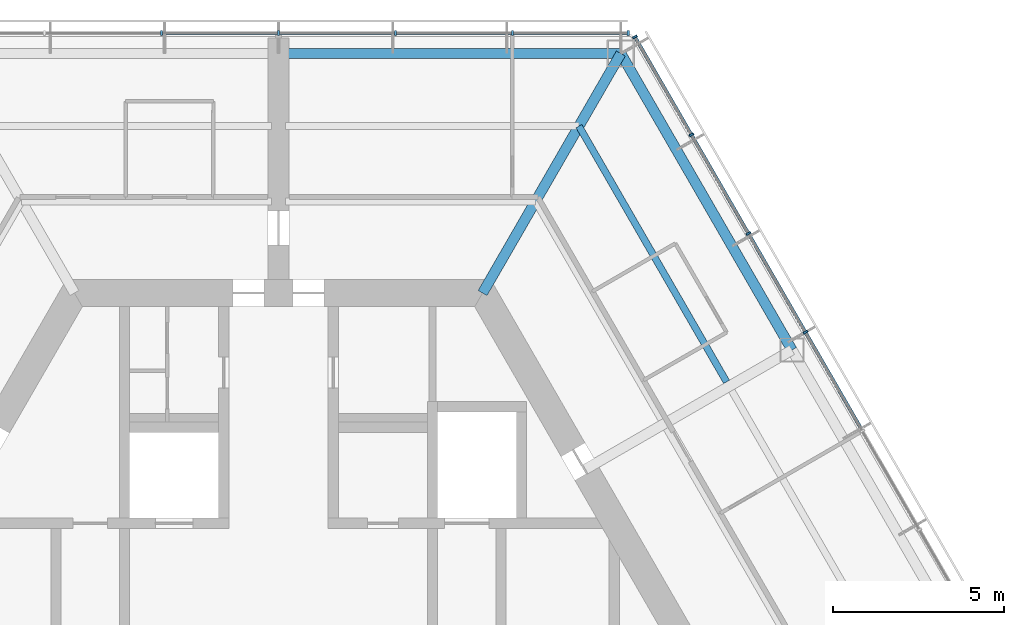
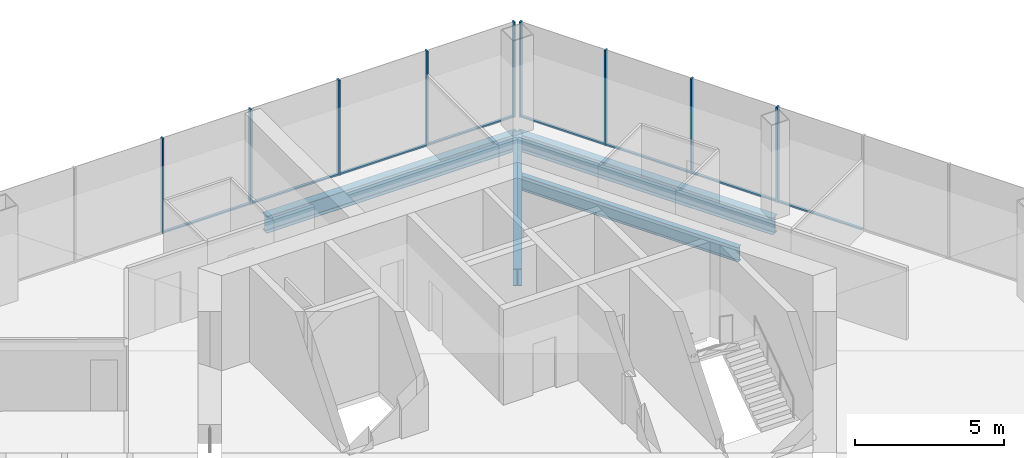
# One storey, part 7 of 16: 17 members, 4 beams, 2 elements without a shape of their own.
"""IFC4 building model written with IfcOpenShell, lengths in metres."""

import ifcopenshell
import ifcopenshell.guid

model = None  # the IFC model being written
_history = None  # IfcOwnerHistory: only IFC2X3 demands one
_inside = {}  # id of a spatial element -> (the spatial element, [elements in it])
_under = {}  # id of a project, library or spatial element -> (it, [spatial elements below it])
_declared = {}  # id of a project -> (the project, [libraries it declares])
_typed = {}  # id of a type object -> (the type object, [elements of that type])
_made_of = {}  # id of a material, layer set ... -> (it, [elements and type objects made of it])


def new_model(schema):
    """Start an empty IFC model of exactly this schema.

    Asked for "IFC4X3", IfcOpenShell would pick the latest addendum, in which some entities
    have other attributes; the version numbers below select the first issue.
    IFC2X3 requires an IfcOwnerHistory on every rooted entity: one is made here for all.
    """
    global model, _history
    if schema == "IFC4X3":
        model = ifcopenshell.file(schema_version=(4, 3, 0, 0))
    else:
        model = ifcopenshell.file(schema=schema)
    _inside.clear()
    _under.clear()
    _declared.clear()
    _typed.clear()
    _made_of.clear()
    _history = None
    if model.schema == "IFC2X3":
        org = make("IfcOrganization", Name="unknown")
        user = make(
            "IfcPersonAndOrganization",
            ThePerson=make("IfcPerson", FamilyName="unknown"),
            TheOrganization=org,
        )
        app = make(
            "IfcApplication",
            ApplicationDeveloper=org,
            Version="unknown",
            ApplicationFullName="unknown",
            ApplicationIdentifier="unknown",
        )
        _history = make(
            "IfcOwnerHistory",
            OwningUser=user,
            OwningApplication=app,
            ChangeAction="ADDED",
            CreationDate=0,
        )
    return model


def make(cls, **values):
    """One entity of the class cls with the attributes given. An attribute that is None is left unset."""
    return model.create_entity(
        cls, **{name: value for name, value in values.items() if value is not None}
    )


def rooted(cls, **values):
    """An entity with a GlobalId (a new one), such as an element, a storey or a relation."""
    return make(cls, GlobalId=ifcopenshell.guid.new(), OwnerHistory=_history, **values)


def si_unit(unit_type, name, prefix=None):
    """IfcSIUnit, for example si_unit("LENGTHUNIT", "METRE", prefix="MILLI")."""
    return make("IfcSIUnit", UnitType=unit_type, Prefix=prefix, Name=name)


def assignment(units):
    """IfcUnitAssignment: the units of a project."""
    return None if units is None else make("IfcUnitAssignment", Units=units)


def point(xyz):
    """IfcCartesianPoint."""
    return None if xyz is None else make("IfcCartesianPoint", Coordinates=xyz)


def direction(xyz):
    """IfcDirection."""
    return None if xyz is None else make("IfcDirection", DirectionRatios=xyz)


def frame(location, z_axis=None, x_axis=None):
    """IfcAxis2Placement3D, a coordinate frame: its origin and axes. An axis left out is left unset."""
    return make(
        "IfcAxis2Placement3D",
        Location=point(location),
        Axis=direction(z_axis),
        RefDirection=direction(x_axis),
    )


def frame_2d(location, x_axis=None):
    """IfcAxis2Placement2D, a coordinate frame in the plane: its origin and x axis."""
    return make(
        "IfcAxis2Placement2D", Location=point(location), RefDirection=direction(x_axis)
    )


def origin():
    """The frame at (0, 0, 0) with its axes left unset."""
    return frame((0.0, 0.0, 0.0))


def origin_2d():
    """The frame at (0, 0) in the plane with its x axis left unset."""
    return frame_2d((0.0, 0.0))


def place(relative_to, where):
    """IfcLocalPlacement: puts the frame where relative to a parent placement (None: the world)."""
    return make(
        "IfcLocalPlacement", PlacementRelTo=relative_to, RelativePlacement=where
    )


def context(
    kind, dimensions, precision=None, world=None, true_north=None, identifier=None
):
    """IfcGeometricRepresentationContext, for example the 3D "Model" context."""
    return make(
        "IfcGeometricRepresentationContext",
        ContextIdentifier=identifier,
        ContextType=kind,
        CoordinateSpaceDimension=dimensions,
        Precision=precision,
        WorldCoordinateSystem=world,
        TrueNorth=true_north,
    )


def subcontext(parent, identifier, kind, view, scale=None):
    """IfcGeometricRepresentationSubContext, for example "Body" below "Model"."""
    return make(
        "IfcGeometricRepresentationSubContext",
        ContextIdentifier=identifier,
        ContextType=kind,
        ParentContext=parent,
        TargetScale=scale,
        TargetView=view,
    )


def project(units=None, contexts=None):
    """IfcProject with its units and contexts."""
    return rooted(
        "IfcProject",
        Name="project",
        RepresentationContexts=contexts,
        UnitsInContext=assignment(units),
    )


def spatial(cls, under=None, at=None, **own):
    """A site, building, storey or space (cls), placed at a placement, below another one or the project."""
    s = rooted(cls, ObjectPlacement=at, **own)
    if under is not None:
        _under.setdefault(under.id(), (under, []))[1].append(s)
    return s


def profile(cls, at=None, kind="AREA", **sizes):
    """A parametric profile (cls). Its sizes go by their IFC names, for example OverallWidth=200.0."""
    return make(cls, ProfileType=kind, Position=at, **sizes)


def rectangle(**sizes):
    """IfcRectangleProfileDef."""
    return profile("IfcRectangleProfileDef", **sizes)


def i_section(**sizes):
    """IfcIShapeProfileDef."""
    return profile("IfcIShapeProfileDef", **sizes)


def extrude(swept, where, along, depth):
    """IfcExtrudedAreaSolid: the profile swept, set in the frame where, extruded along a direction by depth."""
    return make(
        "IfcExtrudedAreaSolid",
        SweptArea=swept,
        Position=where,
        ExtrudedDirection=direction(along),
        Depth=depth,
    )


def shape(context_of_items, identifier, shape_type, items):
    """IfcShapeRepresentation: the items that make up one representation, for example the "Body"."""
    return make(
        "IfcShapeRepresentation",
        ContextOfItems=context_of_items,
        RepresentationIdentifier=identifier,
        RepresentationType=shape_type,
        Items=items,
    )


def material(Name=None, Category=None):
    """IfcMaterial."""
    return make("IfcMaterial", Name=Name, Category=Category)


def material_profile(
    of_material, cross_section, Name=None, Category=None, Priority=None
):
    """IfcMaterialProfile: a cross section and its material."""
    return make(
        "IfcMaterialProfile",
        Name=Name,
        Material=of_material,
        Profile=cross_section,
        Priority=Priority,
        Category=Category,
    )


def profile_set(profiles, Name=None, composite=None):
    """IfcMaterialProfileSet."""
    return make(
        "IfcMaterialProfileSet",
        Name=Name,
        MaterialProfiles=profiles,
        CompositeProfile=composite,
    )


def made_of(thing, what):
    """Note that an element or type object is made of a material, layer set ...; save() writes the relation."""
    if what is not None:
        _made_of.setdefault(what.id(), (what, []))[1].append(thing)
    return thing


def type_object(cls, material=None, **own):
    """A type object (cls), such as IfcWallType, which elements share."""
    return made_of(rooted(cls, **own), material)


def element(
    cls,
    number,
    at=None,
    inside=None,
    cuts=None,
    type_object=None,
    material=None,
    context=None,
    identifier="Body",
    shape_type=None,
    held_by="IfcProductDefinitionShape",
    body=None,
    shapes=None,
    **own,
):
    """One element of the class cls, such as IfcWall. Its Tag is "e" and its number.

    at: its placement. inside: the storey or other place that contains it. cuts: it is an
    opening in that element (IfcRelVoidsElement). A single representation is given by context,
    identifier, shape_type and body (its items); several are given by shapes. held_by: the class
    of the entity that holds the representations. save() writes the other relations.
    """
    e = rooted(cls, Tag="e%d" % number, ObjectPlacement=at, **own)
    if body is not None:
        shapes = [shape(context, identifier, shape_type, body)]
    if shapes is not None:
        e.Representation = make(held_by, Representations=shapes)
    if inside is not None:
        _inside.setdefault(inside.id(), (inside, []))[1].append(e)
    if cuts is not None:
        rooted(
            "IfcRelVoidsElement", RelatingBuildingElement=cuts, RelatedOpeningElement=e
        )
    if type_object is not None:
        _typed.setdefault(type_object.id(), (type_object, []))[1].append(e)
    return made_of(e, material)


def aggregate(whole, parts):
    """IfcRelAggregates: a whole, such as a stair, and the parts it consists of."""
    return rooted("IfcRelAggregates", RelatingObject=whole, RelatedObjects=parts)


def save(model, path):
    """Write the relations noted so far, then the file.

    IfcRelAggregates (storeys below a building ...), IfcRelContainedInSpatialStructure (elements
    in a storey), IfcRelDefinesByType, IfcRelAssociatesMaterial and IfcRelDeclares: one each for
    every whole, place, type object, material and project.
    """
    for whole, parts in _under.values():
        aggregate(whole, parts)
    for where, things in _inside.values():
        rooted(
            "IfcRelContainedInSpatialStructure",
            RelatedElements=things,
            RelatingStructure=where,
        )
    for kind, things in _typed.values():
        rooted("IfcRelDefinesByType", RelatedObjects=things, RelatingType=kind)
    for what, things in _made_of.values():
        rooted("IfcRelAssociatesMaterial", RelatedObjects=things, RelatingMaterial=what)
    for by, libraries in _declared.values():
        rooted("IfcRelDeclares", RelatingContext=by, RelatedDefinitions=libraries)
    model.write(path)


model = new_model("IFC4")

# Units and contexts
model_context = context("Model", 3, precision=1e-05, world=origin(), true_north=direction((0.0, 1.0)))
body_context = subcontext(model_context, "Body", "Model", "MODEL_VIEW")
ifc_project = project(units=[si_unit("LENGTHUNIT", "METRE"), si_unit("AREAUNIT", "SQUARE_METRE"), si_unit("VOLUMEUNIT", "CUBIC_METRE"), si_unit("PLANEANGLEUNIT", "RADIAN"), si_unit("MASSUNIT", "GRAM", prefix="KILO")], contexts=[model_context])

# Site, building, storey
site_placement = place(None, origin())
site = spatial("IfcSite", under=ifc_project, at=site_placement, CompositionType="ELEMENT")
building_placement = place(site_placement, origin())
building = spatial("IfcBuilding", under=site, at=building_placement, Name="Kasaneha Research Tower", CompositionType="ELEMENT")
storey_placement = place(building_placement, frame((0.0, 0.0, 259.60009765625)))
storey = spatial("IfcBuildingStorey", under=building, at=storey_placement, Name="L65", CompositionType="ELEMENT", Elevation=259.60009765625)

# Beam
ifc_material_1 = material(Name="Steel SN490B", Category="steel")
ifc_material_profile_1 = material_profile(ifc_material_1, i_section(OverallWidth=0.199951171875, OverallDepth=0.60009765625, WebThickness=0.010986328125, FlangeThickness=0.01708984375, FilletRadius=0.012939453125, at=origin_2d()), Name="H-600x200x11x17")
ifc_profile_set_1 = profile_set([ifc_material_profile_1], Name="Steel SN490B")
beam_type_1 = type_object("IfcBeamType", Name="B1-3 secondary beam H-600x200x11x17", PredefinedType="JOIST", material=ifc_profile_set_1)
beam_1_placement = place(storey_placement, frame((8.775634765625, 15.199951171875, -0.4501953125), z_axis=(0.500017275495, -0.866015429543, 0.0), x_axis=(0.866015429543, 0.500017275495, 0.0)))
element("IfcBeam", 1, at=beam_1_placement, inside=storey, type_object=beam_type_1, Name="Secondary beam RS030R2 L65", PredefinedType="JOIST", context=body_context, shape_type="SweptSolid", body=[
    extrude(i_section(OverallWidth=0.199951171875, OverallDepth=0.60009765625, WebThickness=0.010986328125, FlangeThickness=0.01708984375, FilletRadius=0.012939453125, at=origin_2d()), origin(), (0.0, 0.0, 1.0), 8.625732421875),
])

# Curtain wall, members
ifc_material_2 = material(Name="Glass and aluminium", Category="aluminium")
curtain_wall_type = type_object("IfcCurtainWallType", Name="High-rise office curtain wall", PredefinedType="USERDEFINED", material=ifc_material_2)
curtain_wall_1_placement = place(storey_placement, origin())
curtain_wall_1 = element("IfcCurtainWall", 2, at=curtain_wall_1_placement, inside=storey, type_object=curtain_wall_type, Name="CW-O3 L65 run 01a", ObjectType="UNITISED CURTAIN WALL", PredefinedType="USERDEFINED")
ifc_material_3 = material(Name="Aluminium 6063-T6", Category="aluminium")
ifc_material_profile_2 = material_profile(ifc_material_3, rectangle(XDim=0.06005859375, YDim=0.139892578125, at=origin_2d()), Name="CW-O3 mullion 60x140")
ifc_profile_set_2 = profile_set([ifc_material_profile_2], Name="Aluminium 6063-T6")
member_type_1 = type_object("IfcMemberType", Name="CW-O3 mullion", PredefinedType="MULLION", material=ifc_profile_set_2)
member_1_placement = place(storey_placement, frame((15.392822265625, 9.179931640625, 0.0), z_axis=(0.0, 0.0, 1.0), x_axis=(-0.499999979232, 0.866025415775, 0.0)))
member_1 = element("IfcMember", 3, at=member_1_placement, type_object=member_type_1, Name="CW-O3 mullion 4", PredefinedType="MULLION", context=body_context, shape_type="SweptSolid", body=[
    extrude(rectangle(XDim=0.06005859375, YDim=0.139892578125, at=origin_2d()), origin(), (0.0, 0.0, 1.0), 3.89990234375),
])
member_2_placement = place(storey_placement, frame((13.727294921875, 12.064453125, 0.0), z_axis=(0.0, 0.0, 1.0), x_axis=(-0.499999979232, 0.866025415775, 0.0)))
member_2 = element("IfcMember", 4, at=member_2_placement, type_object=member_type_1, Name="CW-O3 mullion 5", PredefinedType="MULLION", context=body_context, shape_type="SweptSolid", body=[
    extrude(rectangle(XDim=0.06005859375, YDim=0.139892578125, at=origin_2d()), origin(), (0.0, 0.0, 1.0), 3.89990234375),
])
member_3_placement = place(storey_placement, frame((12.061767578125, 14.94921875, 0.0), z_axis=(0.0, 0.0, 1.0), x_axis=(-0.499999979232, 0.866025415775, 0.0)))
member_3 = element("IfcMember", 5, at=member_3_placement, type_object=member_type_1, Name="CW-O3 mullion 6", PredefinedType="MULLION", context=body_context, shape_type="SweptSolid", body=[
    extrude(rectangle(XDim=0.06005859375, YDim=0.139892578125, at=origin_2d()), origin(), (0.0, 0.0, 1.0), 3.89990234375),
])
member_4_placement = place(storey_placement, frame((10.411376953125, 17.807861328125, 0.0), z_axis=(0.0, 0.0, 1.0), x_axis=(-0.499999979232, 0.866025415775, 0.0)))
member_4 = element("IfcMember", 6, at=member_4_placement, type_object=member_type_1, Name="CW-O3 mullion 7", PredefinedType="MULLION", context=body_context, shape_type="SweptSolid", body=[
    extrude(rectangle(XDim=0.06005859375, YDim=0.139892578125, at=origin_2d()), origin(), (0.0, 0.0, 1.0), 3.89990234375),
])

curtain_wall_2_placement = place(storey_placement, origin())
curtain_wall_2 = element("IfcCurtainWall", 7, at=curtain_wall_2_placement, inside=storey, type_object=curtain_wall_type, Name="CW-O3 L65 run 02a", ObjectType="UNITISED CURTAIN WALL", PredefinedType="USERDEFINED")
member_5_placement = place(storey_placement, frame((10.21630859375, 17.92041015625, 0.0), z_axis=(0.0, 0.0, 1.0), x_axis=(-1.0, 0.0, 0.0)))
member_5 = element("IfcMember", 8, at=member_5_placement, type_object=member_type_1, Name="CW-O3 mullion 1", PredefinedType="MULLION", context=body_context, shape_type="SweptSolid", body=[
    extrude(rectangle(XDim=0.06005859375, YDim=0.139892578125, at=origin_2d()), origin(), (0.0, 0.0, 1.0), 3.89990234375),
])
member_6_placement = place(storey_placement, frame((6.8310546875, 17.92041015625, 0.0), z_axis=(0.0, 0.0, 1.0), x_axis=(-1.0, 0.0, 0.0)))
member_6 = element("IfcMember", 9, at=member_6_placement, type_object=member_type_1, Name="CW-O3 mullion 2", PredefinedType="MULLION", context=body_context, shape_type="SweptSolid", body=[
    extrude(rectangle(XDim=0.06005859375, YDim=0.139892578125, at=origin_2d()), origin(), (0.0, 0.0, 1.0), 3.89990234375),
])
member_7_placement = place(storey_placement, frame((3.41552734375, 17.92041015625, 0.0), z_axis=(0.0, 0.0, 1.0), x_axis=(-1.0, 0.0, 0.0)))
member_7 = element("IfcMember", 10, at=member_7_placement, type_object=member_type_1, Name="CW-O3 mullion 3", PredefinedType="MULLION", context=body_context, shape_type="SweptSolid", body=[
    extrude(rectangle(XDim=0.06005859375, YDim=0.139892578125, at=origin_2d()), origin(), (0.0, 0.0, 1.0), 3.89990234375),
])
member_8_placement = place(storey_placement, frame((0.0, 17.92041015625, 0.0), z_axis=(0.0, 0.0, 1.0), x_axis=(-1.0, 0.0, 0.0)))
member_8 = element("IfcMember", 11, at=member_8_placement, type_object=member_type_1, Name="CW-O3 mullion 4", PredefinedType="MULLION", context=body_context, shape_type="SweptSolid", body=[
    extrude(rectangle(XDim=0.06005859375, YDim=0.139892578125, at=origin_2d()), origin(), (0.0, 0.0, 1.0), 3.89990234375),
])
member_9_placement = place(storey_placement, frame((-3.41552734375, 17.92041015625, 0.0), z_axis=(0.0, 0.0, 1.0), x_axis=(-1.0, 0.0, 0.0)))
member_9 = element("IfcMember", 12, at=member_9_placement, type_object=member_type_1, Name="CW-O3 mullion 5", PredefinedType="MULLION", context=body_context, shape_type="SweptSolid", body=[
    extrude(rectangle(XDim=0.06005859375, YDim=0.139892578125, at=origin_2d()), origin(), (0.0, 0.0, 1.0), 3.89990234375),
])

# Member
ifc_material_4 = material(Name="Aluminium 6063-T6", Category="aluminium")
ifc_material_profile_3 = material_profile(ifc_material_4, rectangle(XDim=0.10009765625, YDim=0.06005859375, at=origin_2d()), Name="CW-O3 transom 100x60")
ifc_profile_set_3 = profile_set([ifc_material_profile_3], Name="Aluminium 6063-T6")
member_type_2 = type_object("IfcMemberType", Name="CW-O3 transom", PredefinedType="USERDEFINED", material=ifc_profile_set_3)
member_10_placement = place(storey_placement, frame((17.043212890625, 6.3212890625, 0.02978515625), z_axis=(-0.50003259116, 0.866006586452, 0.0), x_axis=(-0.866006586452, -0.50003259116, 0.0)))
member_10 = element("IfcMember", 13, at=member_10_placement, type_object=member_type_2, Name="CW-O3 transom 3", ObjectType="TRANSOM", PredefinedType="USERDEFINED", context=body_context, shape_type="SweptSolid", body=[
    extrude(rectangle(XDim=0.10009765625, YDim=0.06005859375, at=origin_2d()), origin(), (0.0, 0.0, 1.0), 3.270751953125),
])

member_11_placement = place(storey_placement, frame((15.3779296875, 9.205810546875, 0.02978515625), z_axis=(-0.500000270186, 0.866025247793, 0.0), x_axis=(-0.866025247793, -0.500000270186, 0.0)))
member_11 = element("IfcMember", 14, at=member_11_placement, type_object=member_type_2, Name="CW-O3 transom 4", ObjectType="TRANSOM", PredefinedType="USERDEFINED", context=body_context, shape_type="SweptSolid", body=[
    extrude(rectangle(XDim=0.10009765625, YDim=0.06005859375, at=origin_2d()), origin(), (0.0, 0.0, 1.0), 3.27099609375),
])

member_12_placement = place(storey_placement, frame((13.71240234375, 12.090576171875, 0.02978515625), z_axis=(-0.500000270186, 0.866025247793, 0.0), x_axis=(-0.866025247793, -0.500000270186, 0.0)))
member_12 = element("IfcMember", 15, at=member_12_placement, type_object=member_type_2, Name="CW-O3 transom 5", ObjectType="TRANSOM", PredefinedType="USERDEFINED", context=body_context, shape_type="SweptSolid", body=[
    extrude(rectangle(XDim=0.10009765625, YDim=0.06005859375, at=origin_2d()), origin(), (0.0, 0.0, 1.0), 3.27099609375),
])

member_13_placement = place(storey_placement, frame((12.046875, 14.97509765625, 0.02978515625), z_axis=(-0.499955025697, 0.866051368154, 0.0), x_axis=(-0.866051368154, -0.499955025697, 0.0)))
member_13 = element("IfcMember", 16, at=member_13_placement, type_object=member_type_2, Name="CW-O3 transom 6", ObjectType="TRANSOM", PredefinedType="USERDEFINED", context=body_context, shape_type="SweptSolid", body=[
    extrude(rectangle(XDim=0.10009765625, YDim=0.06005859375, at=origin_2d()), origin(), (0.0, 0.0, 1.0), 3.240966796875),
])

aggregate(curtain_wall_1, [member_1, member_2, member_3, member_4, member_10, member_11, member_12, member_13])

member_14_placement = place(storey_placement, frame((10.1865234375, 17.92041015625, 0.02978515625), z_axis=(-1.0, 0.0, 0.0), x_axis=(0.0, -1.0, 0.0)))
member_14 = element("IfcMember", 17, at=member_14_placement, type_object=member_type_2, Name="CW-O3 transom 1", ObjectType="TRANSOM", PredefinedType="USERDEFINED", context=body_context, shape_type="SweptSolid", body=[
    extrude(rectangle(XDim=0.10009765625, YDim=0.06005859375, at=origin_2d()), origin(), (0.0, 0.0, 1.0), 3.32568359375),
])

member_15_placement = place(storey_placement, frame((6.801025390625, 17.92041015625, 0.02978515625), z_axis=(-1.0, 0.0, 0.0), x_axis=(0.0, -1.0, 0.0)))
member_15 = element("IfcMember", 18, at=member_15_placement, type_object=member_type_2, Name="CW-O3 transom 2", ObjectType="TRANSOM", PredefinedType="USERDEFINED", context=body_context, shape_type="SweptSolid", body=[
    extrude(rectangle(XDim=0.10009765625, YDim=0.06005859375, at=origin_2d()), origin(), (0.0, 0.0, 1.0), 3.35546875),
])

member_16_placement = place(storey_placement, frame((3.385498046875, 17.92041015625, 0.02978515625), z_axis=(-1.0, 0.0, 0.0), x_axis=(0.0, -1.0, 0.0)))
member_16 = element("IfcMember", 19, at=member_16_placement, type_object=member_type_2, Name="CW-O3 transom 3", ObjectType="TRANSOM", PredefinedType="USERDEFINED", context=body_context, shape_type="SweptSolid", body=[
    extrude(rectangle(XDim=0.10009765625, YDim=0.06005859375, at=origin_2d()), origin(), (0.0, 0.0, 1.0), 3.35546875),
])

member_17_placement = place(storey_placement, frame((-0.030029296875, 17.92041015625, 0.02978515625), z_axis=(-1.0, 0.0, 0.0), x_axis=(0.0, -1.0, 0.0)))
member_17 = element("IfcMember", 20, at=member_17_placement, type_object=member_type_2, Name="CW-O3 transom 4", ObjectType="TRANSOM", PredefinedType="USERDEFINED", context=body_context, shape_type="SweptSolid", body=[
    extrude(rectangle(XDim=0.10009765625, YDim=0.06005859375, at=origin_2d()), origin(), (0.0, 0.0, 1.0), 3.35546875),
])

aggregate(curtain_wall_2, [member_5, member_6, member_7, member_8, member_9, member_14, member_15, member_16, member_17])

# Beams
ifc_material_5 = material(Name="Steel SN490B", Category="steel")
ifc_material_profile_4 = material_profile(ifc_material_5, i_section(OverallWidth=0.300048828125, OverallDepth=0.699951171875, WebThickness=0.012939453125, FlangeThickness=0.02392578125, FilletRadius=0.01806640625, at=origin_2d()), Name="H-700x300x13x24")
ifc_profile_set_4 = profile_set([ifc_material_profile_4], Name="Steel SN490B")
beam_type_2 = type_object("IfcBeamType", Name="G1-3 radial girder H-700x300x13x24", PredefinedType="BEAM", material=ifc_profile_set_4)
beam_2_placement = place(storey_placement, frame((5.961181640625, 10.324951171875, -0.5), z_axis=(0.49999105496, 0.866030568144, 0.0), x_axis=(-0.866030568144, 0.49999105496, 0.0)))
element("IfcBeam", 21, at=beam_2_placement, inside=storey, type_object=beam_type_2, Name="Radial girder RV060 L65", PredefinedType="BEAM", context=body_context, shape_type="SweptSolid", body=[
    extrude(i_section(OverallWidth=0.300048828125, OverallDepth=0.699951171875, WebThickness=0.012939453125, FlangeThickness=0.02392578125, FilletRadius=0.01806640625, at=origin_2d()), origin(), (0.0, 0.0, 1.0), 8.077880859375),
])
ifc_material_6 = material(Name="Steel SN490B", Category="steel")
ifc_material_profile_5 = material_profile(ifc_material_6, i_section(OverallWidth=0.300048828125, OverallDepth=0.69189453125, WebThickness=0.012939453125, FlangeThickness=0.02001953125, FilletRadius=0.01806640625, at=origin_2d()), Name="H-692x300x13x20")
ifc_profile_set_5 = profile_set([ifc_material_profile_5], Name="Steel SN490B")
beam_type_3 = type_object("IfcBeamType", Name="G3-3 plate edge girder H-692x300x13x20", PredefinedType="BEAM", material=ifc_profile_set_5)
beam_3_placement = place(storey_placement, frame((10.0, 17.320556640625, -0.49609375), z_axis=(-1.0, 0.0, 0.0), x_axis=(0.0, -1.0, 0.0)))
element("IfcBeam", 22, at=beam_3_placement, inside=storey, type_object=beam_type_3, Name="Plate edge girder PEAP L65", PredefinedType="BEAM", context=body_context, shape_type="SweptSolid", body=[
    extrude(i_section(OverallWidth=0.300048828125, OverallDepth=0.69189453125, WebThickness=0.012939453125, FlangeThickness=0.02001953125, FilletRadius=0.01806640625, at=origin_2d()), origin(), (0.0, 0.0, 1.0), 9.800048828125),
])
ifc_material_7 = material(Name="Steel SN490B", Category="steel")
ifc_material_profile_6 = material_profile(ifc_material_7, i_section(OverallWidth=0.300048828125, OverallDepth=0.69189453125, WebThickness=0.012939453125, FlangeThickness=0.02001953125, FilletRadius=0.01806640625, at=origin_2d()), Name="H-692x300x13x20")
ifc_profile_set_6 = profile_set([ifc_material_profile_6], Name="Steel SN490B")
beam_type_4 = type_object("IfcBeamType", Name="SB1-3 spandrel beam H-692x300x13x20", PredefinedType="SPANDREL", material=ifc_profile_set_6)
beam_4_placement = place(storey_placement, frame((10.0, 17.320556640625, -0.49609375), z_axis=(0.499993662806, -0.866029062534, 0.0), x_axis=(0.866029062534, 0.499993662806, 0.0)))
element("IfcBeam", 23, at=beam_4_placement, inside=storey, type_object=beam_type_4, Name="Spandrel beam SR030R L65", PredefinedType="SPANDREL", context=body_context, shape_type="SweptSolid", body=[
    extrude(i_section(OverallWidth=0.300048828125, OverallDepth=0.69189453125, WebThickness=0.012939453125, FlangeThickness=0.02001953125, FilletRadius=0.01806640625, at=origin_2d()), origin(), (0.0, 0.0, 1.0), 10.000244140625),
])

save(model, "model.ifc")
